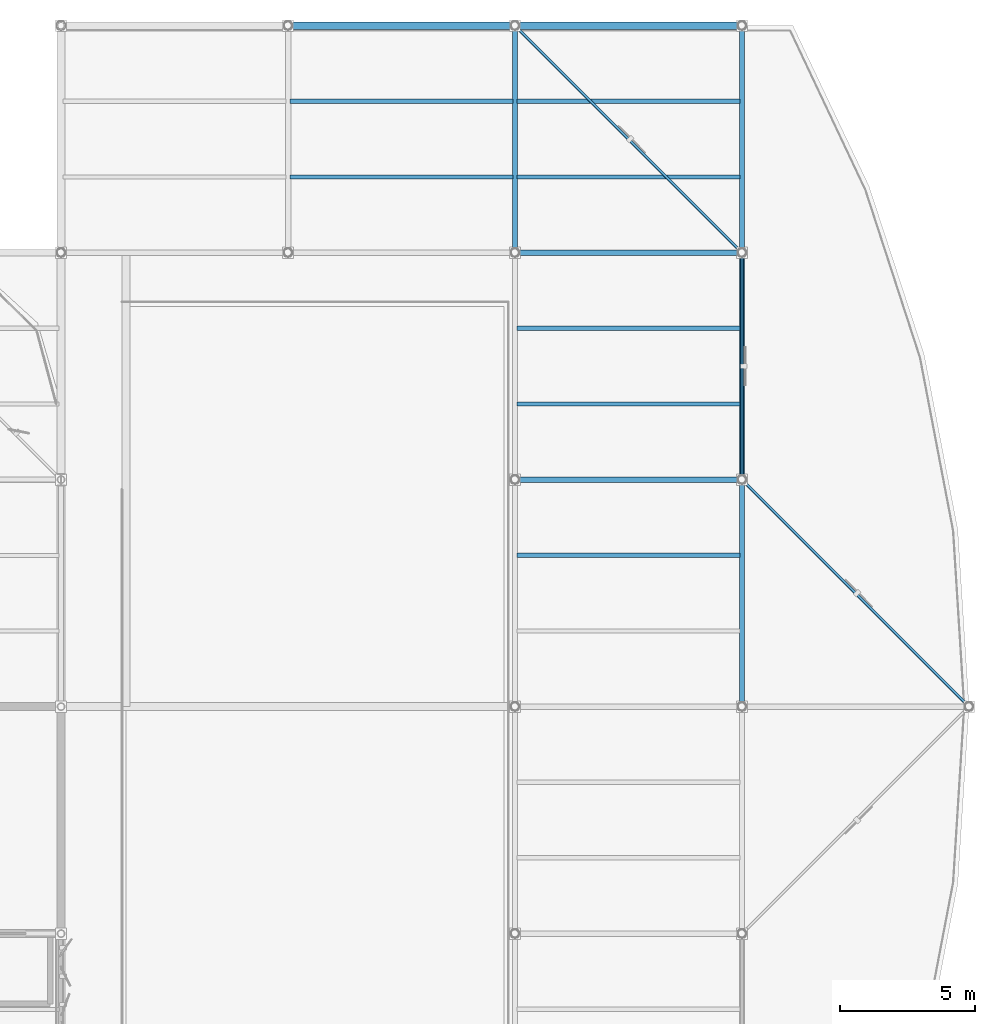
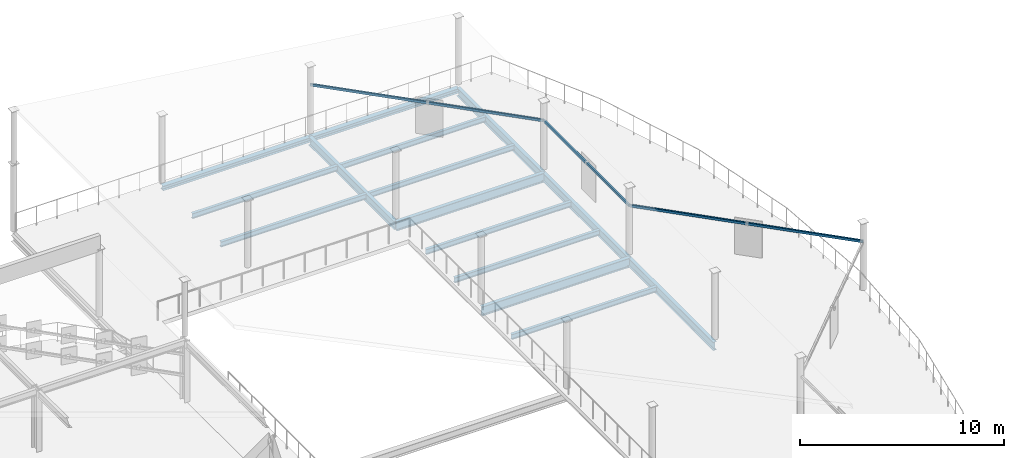
# One storey, part 39 of 65: 18 beams.
"""IFC4 building model written with IfcOpenShell, lengths in metres."""

from ifc_helpers import new_model, si_unit, direction, frame, origin, origin_2d, place, context, subcontext, project, spatial, hollow_rectangle, i_section, extrude, material, material_profile, profile_set, type_object, element, save


model = new_model("IFC4")

# Units and contexts
model_context = context("Model", 3, precision=1e-05, world=origin(), true_north=direction((0.0, 1.0)))
body_context = subcontext(model_context, "Body", "Model", "MODEL_VIEW")
ifc_project = project(units=[si_unit("LENGTHUNIT", "METRE"), si_unit("AREAUNIT", "SQUARE_METRE"), si_unit("VOLUMEUNIT", "CUBIC_METRE"), si_unit("PLANEANGLEUNIT", "RADIAN"), si_unit("MASSUNIT", "GRAM", prefix="KILO")], contexts=[model_context])

# Site, building, storey
site_placement = place(None, origin())
site = spatial("IfcSite", under=ifc_project, at=site_placement, CompositionType="ELEMENT")
building_placement = place(site_placement, origin())
building = spatial("IfcBuilding", under=site, at=building_placement, Name="Qalvenar Corner Mobility Hub", CompositionType="ELEMENT")
storey_placement = place(building_placement, frame((0.0, 0.0, 17.39990234375)))
storey = spatial("IfcBuildingStorey", under=building, at=storey_placement, Name="L04", CompositionType="ELEMENT", Elevation=17.39990234375)

# Beams
ifc_material = material(Name="Steel S355", Category="steel")
ifc_material_profile_1 = material_profile(ifc_material, i_section(OverallWidth=0.199951171875, OverallDepth=0.5, WebThickness=0.01025390625, FlangeThickness=0.01611328125, FilletRadius=0.02099609375, at=origin_2d()), Name="IPE500")
ifc_profile_set_1 = profile_set([ifc_material_profile_1], Name="Steel S355")
beam_type_1 = type_object("IfcBeamType", Name="BM-IPE500", PredefinedType="BEAM", material=ifc_profile_set_1)
for number, where, z_axis, x_axis, name in (
    (1, (159.60009765625, 109.199951171875, -0.489990234375), (0.0, 1.0, 0.0), (-1.0, 0.0, 0.0), "Primary Steel Girder GY-2914"),
    (2, (168.0, 92.39990234375, -0.489990234375), (0.0, 1.0, 0.0), (-1.0, 0.0, 0.0), "Primary Steel Girder GY-2918"),
):
    element("IfcBeam", number, at=place(storey_placement, frame(where, z_axis=z_axis, x_axis=x_axis)), inside=storey, type_object=beam_type_1, Name=name, PredefinedType="BEAM", context=body_context, shape_type="SweptSolid", body=[
        extrude(i_section(OverallWidth=0.199951171875, OverallDepth=0.5, WebThickness=0.01025390625, FlangeThickness=0.01611328125, FilletRadius=0.02099609375, at=origin_2d()), origin(), (0.0, 0.0, 1.0), 8.400146484375),
    ])
beam_1_placement = place(storey_placement, frame((168.0, 100.800048828125, -0.489990234375), z_axis=(0.0, 1.0, 0.0), x_axis=(-1.0, 0.0, 0.0)))
element("IfcBeam", 3, at=beam_1_placement, inside=storey, type_object=beam_type_1, Name="Primary Steel Girder GY-2919", PredefinedType="BEAM", context=body_context, shape_type="SweptSolid", body=[
    extrude(i_section(OverallWidth=0.199951171875, OverallDepth=0.5, WebThickness=0.01025390625, FlangeThickness=0.01611328125, FilletRadius=0.02099609375, at=origin_2d()), origin(), (0.0, 0.0, 1.0), 8.39990234375),
])
beam_2_placement = place(storey_placement, frame((168.0, 109.199951171875, -0.489990234375), z_axis=(0.0, 1.0, 0.0), x_axis=(-1.0, 0.0, 0.0)))
element("IfcBeam", 4, at=beam_2_placement, inside=storey, type_object=beam_type_1, Name="Primary Steel Girder GY-2920", PredefinedType="BEAM", context=body_context, shape_type="SweptSolid", body=[
    extrude(i_section(OverallWidth=0.199951171875, OverallDepth=0.5, WebThickness=0.01025390625, FlangeThickness=0.01611328125, FilletRadius=0.02099609375, at=origin_2d()), origin(), (0.0, 0.0, 1.0), 8.400146484375),
])
ifc_material_profile_2 = material_profile(ifc_material, i_section(OverallWidth=0.2099609375, OverallDepth=0.550048828125, WebThickness=0.010986328125, FlangeThickness=0.01708984375, FilletRadius=0.02392578125, at=origin_2d()), Name="IPE550")
ifc_profile_set_2 = profile_set([ifc_material_profile_2], Name="Steel S355")
beam_type_2 = type_object("IfcBeamType", Name="BM-IPE550", PredefinedType="BEAM", material=ifc_profile_set_2)
for number, where, z_axis, x_axis, name in (
    (5, (159.60009765625, 100.800048828125, -0.514892578125), (1.0, 0.0, 0.0), (0.0, 1.0, 0.0), "Primary Steel Girder GX-2897"),
    (6, (159.60009765625, 109.199951171875, -0.514892578125), (1.0, 0.0, 0.0), (0.0, 1.0, 0.0), "Primary Steel Girder GX-2900"),
):
    element("IfcBeam", number, at=place(storey_placement, frame(where, z_axis=z_axis, x_axis=x_axis)), inside=storey, type_object=beam_type_2, Name=name, PredefinedType="BEAM", context=body_context, shape_type="SweptSolid", body=[
        extrude(i_section(OverallWidth=0.2099609375, OverallDepth=0.550048828125, WebThickness=0.010986328125, FlangeThickness=0.01708984375, FilletRadius=0.02392578125, at=origin_2d()), origin(), (0.0, 0.0, 1.0), 8.39990234375),
    ])
ifc_material_profile_3 = material_profile(ifc_material, i_section(OverallWidth=0.1650390625, OverallDepth=0.31005859375, WebThickness=0.005859375, FlangeThickness=0.009765625, FilletRadius=0.011962890625, at=origin_2d()), Name="W310x38.7")
ifc_profile_set_3 = profile_set([ifc_material_profile_3], Name="Steel S355")
beam_type_3 = type_object("IfcBeamType", Name="BM-JST310", PredefinedType="JOIST", material=ifc_profile_set_3)
for number, where, z_axis, x_axis, name in (
    (7, (151.278076171875, 112.0, -0.39501953125), (1.0, 0.0, 0.0), (0.0, 1.0, 0.0), "Composite Floor Joist J-2931"),
    (8, (151.278076171875, 114.800048828125, -0.39501953125), (1.0, 0.0, 0.0), (0.0, 1.0, 0.0), "Composite Floor Joist J-2932"),
):
    element("IfcBeam", number, at=place(storey_placement, frame(where, z_axis=z_axis, x_axis=x_axis)), inside=storey, type_object=beam_type_3, Name=name, PredefinedType="JOIST", context=body_context, shape_type="SweptSolid", body=[
        extrude(i_section(OverallWidth=0.1650390625, OverallDepth=0.31005859375, WebThickness=0.005859375, FlangeThickness=0.009765625, FilletRadius=0.011962890625, at=origin_2d()), origin(), (0.0, 0.0, 1.0), 8.243896484375),
    ])
for number, where, z_axis, x_axis, name in (
    (9, (159.677978515625, 98.0, -0.39501953125), (1.0, 0.0, 0.0), (0.0, 1.0, 0.0), "Composite Floor Joist J-2940"),
    (10, (159.677978515625, 103.60009765625, -0.39501953125), (1.0, 0.0, 0.0), (0.0, 1.0, 0.0), "Composite Floor Joist J-2941"),
    (11, (159.677978515625, 106.39990234375, -0.39501953125), (1.0, 0.0, 0.0), (0.0, 1.0, 0.0), "Composite Floor Joist J-2942"),
    (12, (159.677978515625, 112.0, -0.39501953125), (1.0, 0.0, 0.0), (0.0, 1.0, 0.0), "Composite Floor Joist J-2943"),
    (13, (159.677978515625, 114.800048828125, -0.39501953125), (1.0, 0.0, 0.0), (0.0, 1.0, 0.0), "Composite Floor Joist J-2944"),
):
    element("IfcBeam", number, at=place(storey_placement, frame(where, z_axis=z_axis, x_axis=x_axis)), inside=storey, type_object=beam_type_3, Name=name, PredefinedType="JOIST", context=body_context, shape_type="SweptSolid", body=[
        extrude(i_section(OverallWidth=0.1650390625, OverallDepth=0.31005859375, WebThickness=0.005859375, FlangeThickness=0.009765625, FilletRadius=0.011962890625, at=origin_2d()), origin(), (0.0, 0.0, 1.0), 8.244140625),
    ])
ifc_material_profile_4 = material_profile(ifc_material, i_section(OverallWidth=0.280029296875, OverallDepth=0.27001953125, WebThickness=0.008056640625, FlangeThickness=0.012939453125, FilletRadius=0.02392578125, at=origin_2d()), Name="HEA280")
ifc_profile_set_4 = profile_set([ifc_material_profile_4], Name="Steel S355")
beam_type_4 = type_object("IfcBeamType", Name="BM-SPN280", PredefinedType="SPANDREL", material=ifc_profile_set_4)
beam_3_placement = place(storey_placement, frame((151.199951171875, 117.60009765625, -0.375), z_axis=(1.0, 0.0, 0.0), x_axis=(0.0, 1.0, 0.0)))
element("IfcBeam", 14, at=beam_3_placement, inside=storey, type_object=beam_type_4, Name="Primary Steel Girder GX-2902", PredefinedType="SPANDREL", context=body_context, shape_type="SweptSolid", body=[
    extrude(i_section(OverallWidth=0.280029296875, OverallDepth=0.27001953125, WebThickness=0.008056640625, FlangeThickness=0.012939453125, FilletRadius=0.02392578125, at=origin_2d()), origin(), (0.0, 0.0, 1.0), 8.400146484375),
])
beam_4_placement = place(storey_placement, frame((159.60009765625, 117.60009765625, -0.375), z_axis=(1.0, 0.0, 0.0), x_axis=(0.0, 1.0, 0.0)))
element("IfcBeam", 15, at=beam_4_placement, inside=storey, type_object=beam_type_4, Name="Primary Steel Girder GX-2903", PredefinedType="SPANDREL", context=body_context, shape_type="SweptSolid", body=[
    extrude(i_section(OverallWidth=0.280029296875, OverallDepth=0.27001953125, WebThickness=0.008056640625, FlangeThickness=0.012939453125, FilletRadius=0.02392578125, at=origin_2d()), origin(), (0.0, 0.0, 1.0), 8.39990234375),
])
ifc_material_profile_5 = material_profile(ifc_material, hollow_rectangle(XDim=0.10009765625, YDim=0.14990234375, WallThickness=0.00634765625, InnerFilletRadius=0.00634765625, OuterFilletRadius=0.0126953125, at=origin_2d()), Name="RHS150x100x6.3")
ifc_profile_set_5 = profile_set([ifc_material_profile_5], Name="Steel S355")
beam_type_5 = type_object("IfcBeamType", Name="FR-RAIL150", PredefinedType="SPANDREL", material=ifc_profile_set_5)
beam_5_placement = place(storey_placement, frame((176.39990234375, 92.39990234375, 2.85009765625), z_axis=(-0.707096505339, 0.707117056885, 0.0), x_axis=(-0.707117056885, -0.707096505339, 0.0)))
element("IfcBeam", 16, at=beam_5_placement, inside=storey, type_object=beam_type_5, Name="Rotunda Screen Rail V2-L04-4", PredefinedType="SPANDREL", context=body_context, shape_type="SweptSolid", body=[
    extrude(hollow_rectangle(XDim=0.10009765625, YDim=0.14990234375, WallThickness=0.00634765625, InnerFilletRadius=0.00634765625, OuterFilletRadius=0.0126953125, at=origin_2d()), origin(), (0.0, 0.0, 1.0), 11.87939453125),
])
beam_6_placement = place(storey_placement, frame((168.0, 100.800048828125, 2.85009765625), z_axis=(0.0, 1.0, 0.0), x_axis=(-1.0, 0.0, 0.0)))
element("IfcBeam", 17, at=beam_6_placement, inside=storey, type_object=beam_type_5, Name="Rotunda Screen Rail V2-L04-5", PredefinedType="SPANDREL", context=body_context, shape_type="SweptSolid", body=[
    extrude(hollow_rectangle(XDim=0.10009765625, YDim=0.14990234375, WallThickness=0.00634765625, InnerFilletRadius=0.00634765625, OuterFilletRadius=0.0126953125, at=origin_2d()), origin(), (0.0, 0.0, 1.0), 8.39990234375),
])
beam_7_placement = place(storey_placement, frame((168.0, 109.199951171875, 2.85009765625), z_axis=(-0.707096505339, 0.707117056885, 0.0), x_axis=(-0.707117056885, -0.707096505339, 0.0)))
element("IfcBeam", 18, at=beam_7_placement, inside=storey, type_object=beam_type_5, Name="Rotunda Screen Rail V2-L04-6", PredefinedType="SPANDREL", context=body_context, shape_type="SweptSolid", body=[
    extrude(hollow_rectangle(XDim=0.10009765625, YDim=0.14990234375, WallThickness=0.00634765625, InnerFilletRadius=0.00634765625, OuterFilletRadius=0.0126953125, at=origin_2d()), origin(), (0.0, 0.0, 1.0), 11.87939453125),
])

save(model, "model.ifc")
